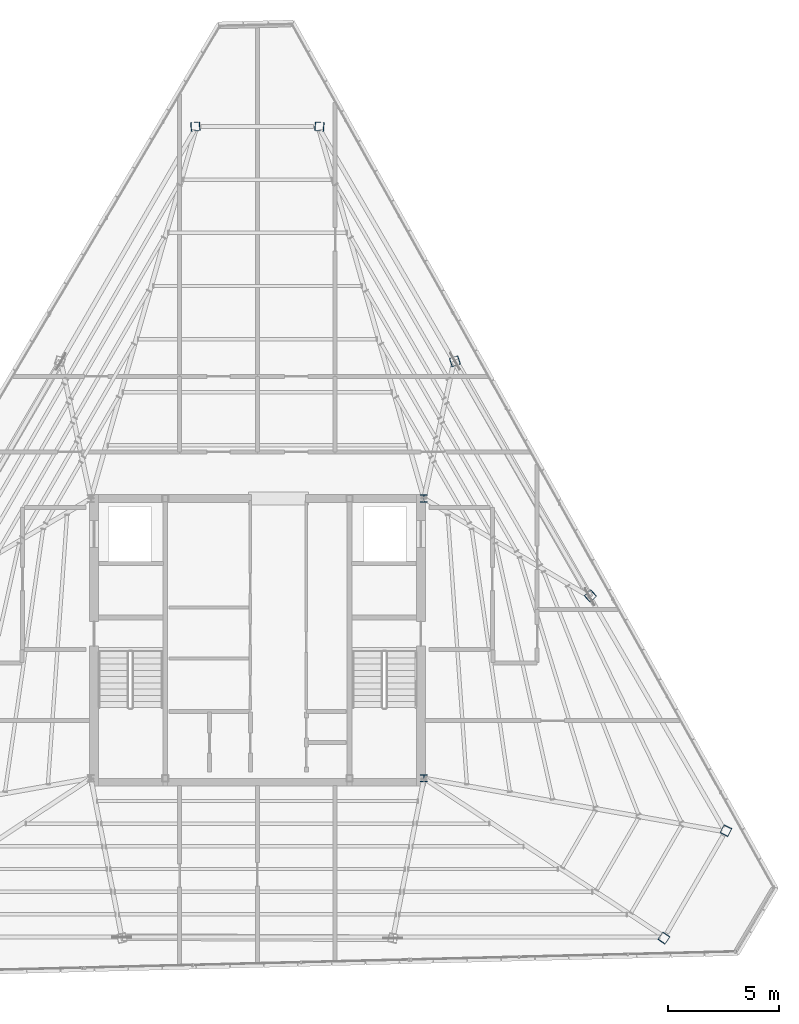
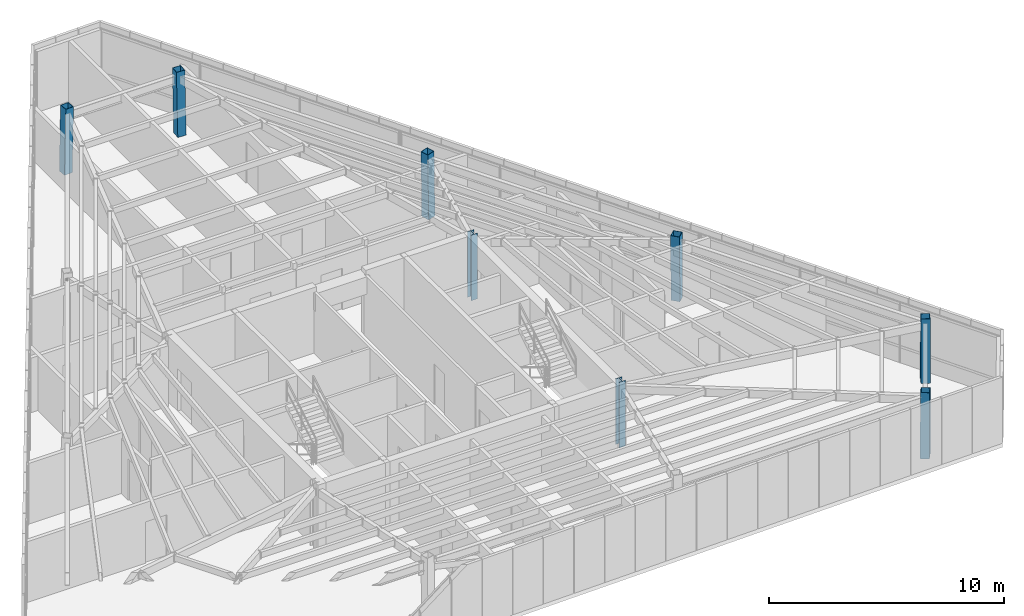
# One storey, part 2 of 48: 8 columns.
"""IFC4 building model written with IfcOpenShell, lengths in metres."""

from ifc_helpers import new_model, si_unit, direction, frame, origin, origin_2d, place, context, subcontext, project, spatial, hollow_rectangle, i_section, extrude, source, transform, mapped, material, material_profile, profile_set, type_object, type_shapes, element, save


model = new_model("IFC4")

# Units and contexts
model_context = context("Model", 3, precision=1e-05, world=origin(), true_north=direction((0.0, 1.0)))
body_context = subcontext(model_context, "Body", "Model", "MODEL_VIEW")
ifc_project = project(units=[si_unit("LENGTHUNIT", "METRE"), si_unit("AREAUNIT", "SQUARE_METRE"), si_unit("VOLUMEUNIT", "CUBIC_METRE"), si_unit("PLANEANGLEUNIT", "RADIAN"), si_unit("MASSUNIT", "GRAM", prefix="KILO")], contexts=[model_context])

# Site, building, storey
site_placement = place(None, origin())
site = spatial("IfcSite", under=ifc_project, at=site_placement, CompositionType="ELEMENT")
building_placement = place(site_placement, origin())
building = spatial("IfcBuilding", under=site, at=building_placement, Name="Caelisora Broadcast Tower", CompositionType="ELEMENT")
storey_placement = place(building_placement, frame((0.0, 0.0, 300.0)))
storey = spatial("IfcBuildingStorey", under=building, at=storey_placement, Name="L79", CompositionType="ELEMENT", Elevation=300.0)

# Columns
ifc_material_1 = material(Name="Steel Grade 350 (AS/NZS 3679.1)", Category="steel")
ifc_material_profile_1 = material_profile(ifc_material_1, i_section(OverallWidth=0.31103515625, OverallDepth=0.3271484375, WebThickness=0.015625, FlangeThickness=0.02490234375, at=origin_2d()), Name="Steel Grade 350 (AS/NZS 3679.1)")
ifc_profile_set_1 = profile_set([ifc_material_profile_1], Name="Steel Grade 350 (AS/NZS 3679.1)")
column_type_1 = type_object("IfcColumnType", Name="CC03", PredefinedType="COLUMN", material=ifc_profile_set_1)
shared_shape_1 = source(origin(), body_context, "Body", "SweptSolid", [
    extrude(i_section(OverallWidth=0.31103515625, OverallDepth=0.3271484375, WebThickness=0.015625, FlangeThickness=0.02490234375, at=origin_2d()), origin(), (0.0, 0.0, 1.0), 3.39990234375),
])
type_shapes(column_type_1, [shared_shape_1])
for number, where, z_axis, x_axis, name in (
    (1, (45.5, 17.39990234375, 0.0), (0.0, 0.0, 1.0), (1.0, 0.0, 0.0), "L79 column CC03"),
    (2, (45.5, 30.0, 0.0), (0.0, 0.0, 1.0), (1.0, 0.0, 0.0), "L79 column CC03"),
):
    element("IfcColumn", number, at=place(storey_placement, frame(where, z_axis=z_axis, x_axis=x_axis)), inside=storey, type_object=column_type_1, Name=name, PredefinedType="COLUMN", context=body_context, shape_type="MappedRepresentation", body=[
        mapped(shared_shape_1, transform((0.0, 0.0, 0.0), scale=1.0)),
    ])
ifc_material_2 = material(Name="Steel Grade 350 (AS/NZS 1163 C350L0)", Category="steel")
ifc_material_profile_2 = material_profile(ifc_material_2, hollow_rectangle(XDim=0.39990234375, YDim=0.39990234375, WallThickness=0.01611328125, at=origin_2d()), Name="Steel Grade 350 (AS/NZS 1163 C350L0)")
ifc_profile_set_2 = profile_set([ifc_material_profile_2], Name="Steel Grade 350 (AS/NZS 1163 C350L0)")
column_type_2 = type_object("IfcColumnType", Name="MC08", PredefinedType="COLUMN", material=ifc_profile_set_2)
shared_shape_2 = source(origin(), body_context, "Body", "SweptSolid", [
    extrude(hollow_rectangle(XDim=0.39990234375, YDim=0.39990234375, WallThickness=0.01611328125, at=origin_2d()), origin(), (0.0, 0.0, 1.0), 3.39599609375),
])
for number, where, z_axis, x_axis, name in (
    (3, (40.804443359375, 46.75146484375, 0.0), (-0.019339141509, 0.001365961668, 0.999812048214), (-0.07045643972, -0.997514857083, 0.0), "L79 column MC08"),
    (4, (35.195556640625, 46.75146484375, 0.0), (0.01933913956, 0.001437854242, 0.999811947446), (-0.074144794539, 0.997247486556, 0.0), "L79 column MC08"),
    (5, (56.301025390625, 10.195556640625, 0.0), (0.010927690209, 0.01603207182, 0.999811761413), (-0.826305728464, 0.563221841823, 0.0), "L79 column MC08"),
    (6, (59.10546875, 15.052978515625, 0.0), (-0.008411447818, -0.017469930083, 0.999812006874), (0.901001669759, -0.433815618773, 0.0), "L79 column MC08"),
):
    element("IfcColumn", number, at=place(storey_placement, frame(where, z_axis=z_axis, x_axis=x_axis)), inside=storey, type_object=column_type_2, Name=name, PredefinedType="COLUMN", context=body_context, shape_type="MappedRepresentation", body=[
        mapped(shared_shape_2, transform((0.0, 0.0, 0.0), scale=1.0)),
    ])
shared_shape_3 = source(origin(), body_context, "Body", "SweptSolid", [
    extrude(hollow_rectangle(XDim=0.39990234375, YDim=0.39990234375, WallThickness=0.01611328125, at=origin_2d()), origin(), (0.0, 0.0, 1.0), 3.395751953125),
])
type_shapes(column_type_2, [shared_shape_2, shared_shape_3])
for number, where, z_axis, x_axis, name in (
    (7, (53.005126953125, 25.619140625, 0.0), (-0.012078615926, -0.011143961122, 0.999864950465), (0.678098379863, -0.734971147207, 0.0), "L79 column MC08"),
    (8, (46.90478515625, 36.185302734375, 0.0), (-0.015673446185, -0.004888964865, 0.99986521147), (0.29777626912, -0.954635686296, 0.0), "L79 column MC08"),
):
    element("IfcColumn", number, at=place(storey_placement, frame(where, z_axis=z_axis, x_axis=x_axis)), inside=storey, type_object=column_type_2, Name=name, PredefinedType="COLUMN", context=body_context, shape_type="MappedRepresentation", body=[
        mapped(shared_shape_3, transform((0.0, 0.0, 0.0), scale=1.0)),
    ])

save(model, "model.ifc")
